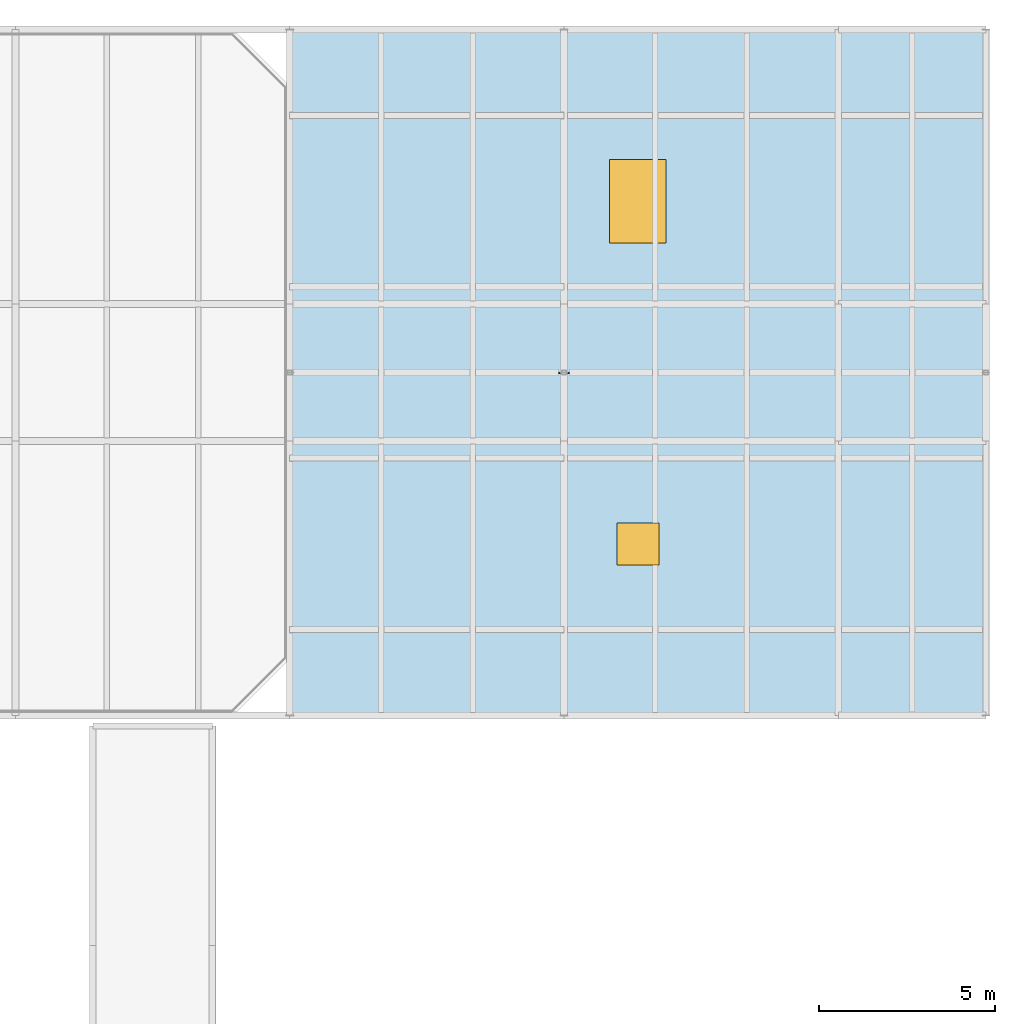
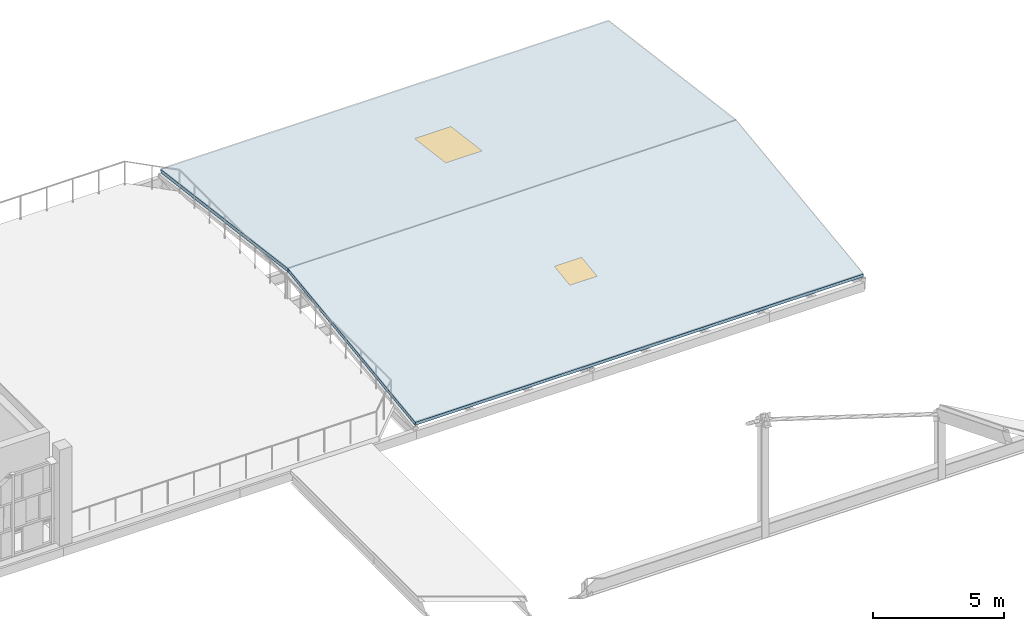
# One storey, part 75 of 119: 2 slabs, 2 windows, 2 openings.
"""IFC4 building model written with IfcOpenShell, lengths in metres."""

from ifc_helpers import new_model, si_unit, direction, frame, origin, origin_2d, place, context, subcontext, project, spatial, polyline, rectangle, outline, extrude, material, layer, layer_set, type_object, element, fill, save


model = new_model("IFC4")

# Units and contexts
model_context = context("Model", 3, precision=1e-05, world=origin(), true_north=direction((0.0, 1.0)))
body_context = subcontext(model_context, "Body", "Model", "MODEL_VIEW")
ifc_project = project(units=[si_unit("LENGTHUNIT", "METRE"), si_unit("AREAUNIT", "SQUARE_METRE"), si_unit("VOLUMEUNIT", "CUBIC_METRE"), si_unit("PLANEANGLEUNIT", "RADIAN"), si_unit("MASSUNIT", "GRAM", prefix="KILO")], contexts=[model_context])

# Site, building, storey
site_placement = place(None, origin())
site = spatial("IfcSite", under=ifc_project, at=site_placement, CompositionType="ELEMENT")
building_placement = place(site_placement, origin())
building = spatial("IfcBuilding", under=site, at=building_placement, Name="Celorna Specialist Clinic", CompositionType="ELEMENT")
storey_placement = place(building_placement, frame((0.0, 0.0, 9.60009765625)))
storey = spatial("IfcBuildingStorey", under=building, at=storey_placement, Name="L02", CompositionType="ELEMENT", Elevation=9.60009765625)

# Slab, opening, window
ifc_material_1 = material(Name="Precast concrete C40/50", Category="concrete")
ifc_layer = layer(ifc_material_1, 0.159912109375, Name="Precast concrete C40/50")
ifc_layer_set = layer_set([ifc_layer], Name="Precast concrete C40/50")
slab_type = type_object("IfcSlabType", Name="SL-13", PredefinedType="ROOF", material=ifc_layer_set)
slab_1_placement = place(storey_placement, frame((148.199951171875, 96.5, 0.079833984375), z_axis=(0.0, -0.129167216148, 0.991622826619), x_axis=(1.0, 0.0, 0.0)))
slab_1 = element("IfcSlab", 1, at=slab_1_placement, inside=storey, type_object=slab_type, Name="Sloped roof slab ROOF-V4-EAST-S", PredefinedType="ROOF", context=body_context, shape_type="SweptSolid", body=[
    extrude(outline(polyline([(0.0, 0.0), (19.800048828125, 0.0), (19.800048828125, 9.832367446843943), (0.0, 9.832367446843943), (0.0, 0.0)])), origin(), (0.0, 0.0, -1.0), 0.159912109375),
])
opening_1_placement = place(slab_1_placement, frame((9.900146484375, 4.916259765625, 0.010009765625)))
opening_1 = element("IfcOpeningElement", 2, at=opening_1_placement, cuts=slab_1, Name="Opening SK-04", PredefinedType="OPENING", context=body_context, shape_type="SweptSolid", body=[
    extrude(rectangle(XDim=1.199951171875, YDim=1.199951171875, at=origin_2d()), origin(), (0.0, 0.0, -1.0), 0.179931640625),
])
ifc_material_2 = material(Name="Insulated roof maintenance access skylight hatch")
window_type_1 = type_object("IfcWindowType", Name="SK-04", PartitioningType="SINGLE_PANEL", PredefinedType="SKYLIGHT", material=ifc_material_2)
window_1_placement = place(opening_1_placement, frame((0.0, 0.0, -0.010009765625)))
window_1 = element("IfcWindow", 3, at=window_1_placement, inside=storey, type_object=window_type_1, Name="Roof skylight SK-04 on ROOF-V4-EAST-S", OverallHeight=1.199951171875, OverallWidth=1.199951171875, PartitioningType="SINGLE_PANEL", PredefinedType="SKYLIGHT", context=body_context, shape_type="SweptSolid", body=[
    extrude(rectangle(XDim=1.199951171875, YDim=1.199951171875, at=origin_2d()), origin(), (0.0, 0.0, -1.0), 0.050048828125),
])
fill(opening_1, window_1)

slab_2_placement = place(storey_placement, frame((148.199951171875, 106.25, 1.349853515625), z_axis=(0.0, 0.129167216148, 0.991622826619), x_axis=(1.0, 0.0, 0.0)))
slab_2 = element("IfcSlab", 4, at=slab_2_placement, inside=storey, type_object=slab_type, Name="Sloped roof slab ROOF-V4-EAST-N", PredefinedType="ROOF", context=body_context, shape_type="SweptSolid", body=[
    extrude(outline(polyline([(0.0, 0.0), (19.800048828125, 0.0), (19.800048828125, 9.832367446843943), (0.0, 9.832367446843943), (0.0, 0.0)])), origin(), (0.0, 0.0, -1.0), 0.159912109375),
])
opening_2_placement = place(slab_2_placement, frame((9.900146484375, 4.916259765625, 0.010009765625)))
opening_2 = element("IfcOpeningElement", 5, at=opening_2_placement, cuts=slab_2, Name="Opening SK-02", PredefinedType="OPENING", context=body_context, shape_type="SweptSolid", body=[
    extrude(rectangle(XDim=1.60009765625, YDim=2.39990234375, at=origin_2d()), origin(), (0.0, 0.0, -1.0), 0.179931640625),
])
ifc_material_3 = material(Name="Outpatient atrium skylight lantern")
window_type_2 = type_object("IfcWindowType", Name="SK-02", PartitioningType="SINGLE_PANEL", PredefinedType="SKYLIGHT", material=ifc_material_3)
window_2_placement = place(opening_2_placement, frame((0.0, 0.0, -0.010009765625)))
window_2 = element("IfcWindow", 6, at=window_2_placement, inside=storey, type_object=window_type_2, Name="Roof skylight SK-02 on ROOF-V4-EAST-N", OverallHeight=2.39990234375, OverallWidth=1.60009765625, PartitioningType="SINGLE_PANEL", PredefinedType="SKYLIGHT", context=body_context, shape_type="SweptSolid", body=[
    extrude(rectangle(XDim=1.60009765625, YDim=2.39990234375, at=origin_2d()), origin(), (0.0, 0.0, -1.0), 0.050048828125),
])
fill(opening_2, window_2)

save(model, "model.ifc")
